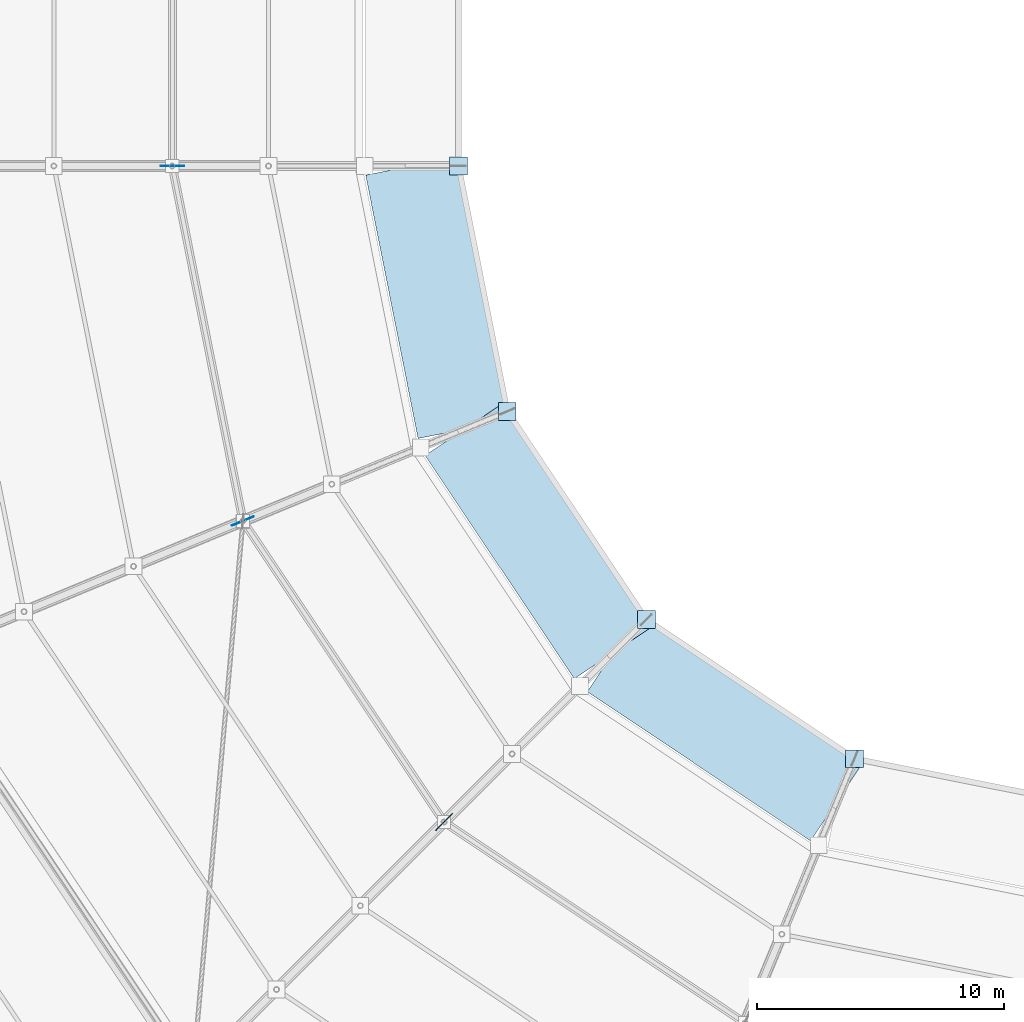
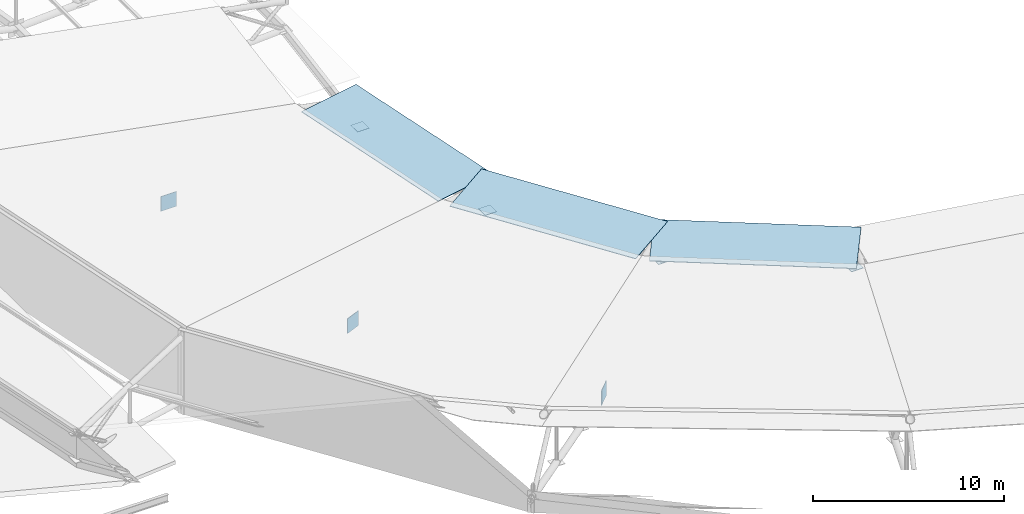
# One storey, part 105 of 146: 10 plates.
"""IFC4 building model written with IfcOpenShell, lengths in metres."""

from ifc_helpers import new_model, si_unit, direction, frame, origin, origin_2d, place, context, subcontext, project, spatial, rectangle, extrude, material, layer, layer_set, type_object, element, save


model = new_model("IFC4")

# Units and contexts
model_context = context("Model", 3, precision=1e-05, world=origin(), true_north=direction((0.0, 1.0)))
body_context = subcontext(model_context, "Body", "Model", "MODEL_VIEW")
ifc_project = project(units=[si_unit("LENGTHUNIT", "METRE"), si_unit("AREAUNIT", "SQUARE_METRE"), si_unit("VOLUMEUNIT", "CUBIC_METRE"), si_unit("PLANEANGLEUNIT", "RADIAN"), si_unit("MASSUNIT", "GRAM", prefix="KILO")], contexts=[model_context])

# Site, building, storey
site_placement = place(None, origin())
site = spatial("IfcSite", under=ifc_project, at=site_placement, CompositionType="ELEMENT")
building_placement = place(site_placement, origin())
building = spatial("IfcBuilding", under=site, at=building_placement, Name="Candeia Ridge Stadium", CompositionType="ELEMENT")
storey_placement = place(building_placement, frame((0.0, 0.0, 31.800048828125)))
storey = spatial("IfcBuildingStorey", under=building, at=storey_placement, Name="RF", CompositionType="ELEMENT", Elevation=31.800048828125)

# Plates
ifc_material_1 = material(Name="Steel ASTM A572 Grade 50", Category="steel")
ifc_layer_1 = layer(ifc_material_1, 0.02490234375, Name="Steel ASTM A572 Grade 50", Category="steel")
ifc_layer_set_1 = layer_set([ifc_layer_1], Name="Steel ASTM A572 Grade 50")
plate_type_1 = type_object("IfcPlateType", Name="Hollow Section End Closure Plate CP2", PredefinedType="SHEET", material=ifc_layer_set_1)
for number, where, z_axis, x_axis, name in (
    (1, (45.0, 71.0, -1.972412109375), (0.0, 0.0, 1.0), (1.0, 0.0, 0.0), "Hollow section end closure plate BCAP-TIP-14"),
    (2, (46.979248046875, 61.05029296875, -1.972412109375), (0.0, 0.0, 1.0), (1.0, 0.0, 0.0), "Hollow section end closure plate BCAP-TIP-15"),
    (3, (52.615234375, 52.615234375, -1.972412109375), (0.0, 0.0, 1.0), (1.0, 0.0, 0.0), "Hollow section end closure plate BCAP-TIP-16"),
    (4, (61.05029296875, 46.979248046875, -1.972412109375), (0.0, 0.0, 1.0), (1.0, 0.0, 0.0), "Hollow section end closure plate BCAP-TIP-17"),
):
    element("IfcPlate", number, at=place(storey_placement, frame(where, z_axis=z_axis, x_axis=x_axis)), inside=storey, type_object=plate_type_1, Name=name, PredefinedType="SHEET", context=body_context, shape_type="SweptSolid", body=[
        extrude(rectangle(XDim=0.719970703125, YDim=0.719970703125, at=origin_2d()), origin(), (0.0, 0.0, 1.0), 0.02490234375),
    ])
ifc_material_2 = material(Name="Polycarbonate Multiwall Glazing", Category="glass")
ifc_layer_2 = layer(ifc_material_2, 0.034912109375, Name="Polycarbonate Multiwall Glazing", Category="glass")
ifc_layer_set_2 = layer_set([ifc_layer_2], Name="Polycarbonate Multiwall Glazing")
plate_type_2 = type_object("IfcPlateType", Name="Inner Roof Polycarbonate Daylight Panel DP1", PredefinedType="SHEET", material=ifc_layer_set_2)
for number, where, z_axis, x_axis, name in (
    (5, (44.161865234375, 65.66162109375, 0.52392578125), (0.0, 0.0, 1.0), (0.195090311899, -0.980785282416, 0.0), "Inner roof polycarbonate daylight ring panel 15"),
    (6, (55.79736328125, 48.247802734375, 0.52392578125), (0.0, 0.0, 1.0), (0.831469588992, -0.555570267906, 0.0), "Inner roof polycarbonate daylight ring panel 17"),
):
    element("IfcPlate", number, at=place(storey_placement, frame(where, z_axis=z_axis, x_axis=x_axis)), inside=storey, type_object=plate_type_2, Name=name, PredefinedType="SHEET", context=body_context, shape_type="SweptSolid", body=[
        extrude(rectangle(XDim=10.885986328125, YDim=3.800048828125, at=origin_2d()), origin(), (0.0, 0.0, 1.0), 0.034912109375),
    ])
ifc_layer_3 = layer(ifc_material_2, 0.034912109375, Name="Polycarbonate Multiwall Glazing", Category="glass")
ifc_layer_set_3 = layer_set([ifc_layer_3], Name="Polycarbonate Multiwall Glazing")
plate_type_3 = type_object("IfcPlateType", Name="Inner Roof Polycarbonate Daylight Panel DP2", PredefinedType="SHEET", material=ifc_layer_set_3)
plate_placement = place(storey_placement, frame((48.247802734375, 55.79736328125, 0.52392578125), z_axis=(0.0, 0.0, 1.0), x_axis=(0.555570267906, -0.831469588992, 0.0)))
element("IfcPlate", 7, at=plate_placement, inside=storey, type_object=plate_type_3, Name="Inner roof polycarbonate daylight ring panel 16", PredefinedType="SHEET", context=body_context, shape_type="SweptSolid", body=[
    extrude(rectangle(XDim=10.885986328125, YDim=3.800048828125, at=origin_2d()), origin(), (0.0, 0.0, 1.0), 0.034912109375),
])
ifc_layer_4 = layer(ifc_material_1, 0.031982421875, Name="Steel ASTM A572 Grade 50", Category="steel")
ifc_layer_set_4 = layer_set([ifc_layer_4], Name="Steel ASTM A572 Grade 50")
plate_type_4 = type_object("IfcPlateType", Name="Roof Truss Inner Support Node Gusset ND-1", PredefinedType="USERDEFINED", material=ifc_layer_set_4)
for number, where, z_axis, x_axis, name in (
    (8, (33.39990234375, 71.0, -3.13916015625), (0.0, 0.0, 1.0), (-1.0, 0.0, 0.0), "Roof truss inner support node ND-1 bay 15"),
    (9, (36.26220703125, 56.611083984375, -3.13916015625), (0.0, 0.0, 1.0), (-0.923879532077, -0.382683433413, 0.0), "Roof truss inner support node ND-1 bay 16"),
    (10, (44.412841796875, 44.412841796875, -3.13916015625), (0.0, 0.0, 1.0), (-0.707106781187, -0.707106781187, 0.0), "Roof truss inner support node ND-1 bay 17"),
):
    element("IfcPlate", number, at=place(storey_placement, frame(where, z_axis=z_axis, x_axis=x_axis)), inside=storey, type_object=plate_type_4, Name=name, ObjectType="GUSSET PLATE", PredefinedType="USERDEFINED", context=body_context, shape_type="SweptSolid", body=[
        extrude(rectangle(XDim=0.949951171875, YDim=0.031982421875, at=origin_2d()), origin(), (0.0, 0.0, 1.0), 0.949951171875),
    ])

save(model, "model.ifc")
